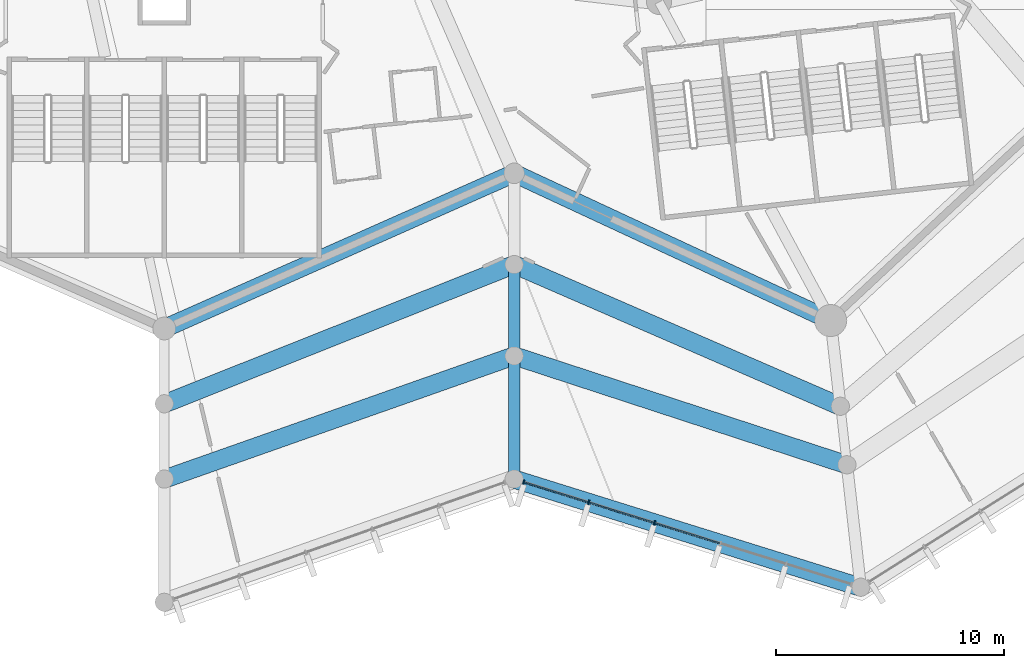
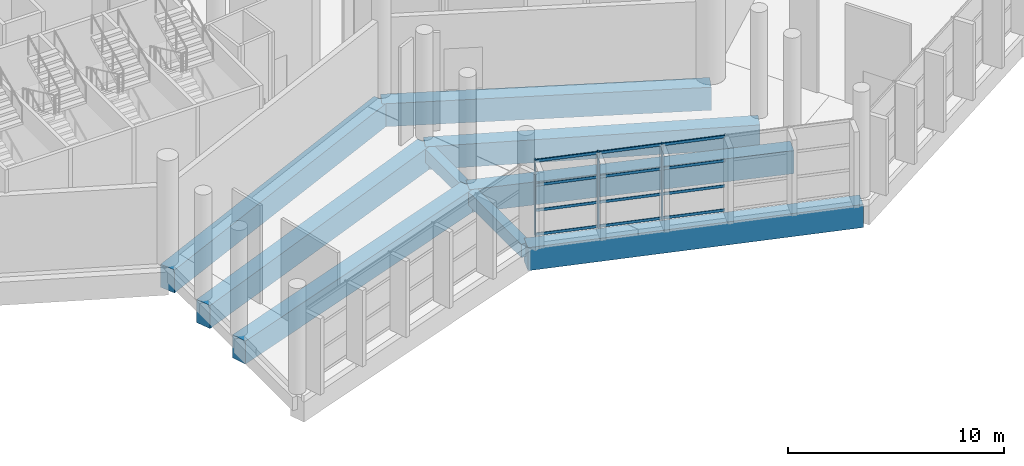
# One storey, part 29 of 249: 15 members, 9 beams, 1 element without a shape of its own.
"""IFC4 building model written with IfcOpenShell, lengths in metres."""

import ifcopenshell
import ifcopenshell.guid

model = None  # the IFC model being written
_history = None  # IfcOwnerHistory: only IFC2X3 demands one
_inside = {}  # id of a spatial element -> (the spatial element, [elements in it])
_under = {}  # id of a project, library or spatial element -> (it, [spatial elements below it])
_declared = {}  # id of a project -> (the project, [libraries it declares])
_typed = {}  # id of a type object -> (the type object, [elements of that type])
_made_of = {}  # id of a material, layer set ... -> (it, [elements and type objects made of it])


def new_model(schema):
    """Start an empty IFC model of exactly this schema.

    Asked for "IFC4X3", IfcOpenShell would pick the latest addendum, in which some entities
    have other attributes; the version numbers below select the first issue.
    IFC2X3 requires an IfcOwnerHistory on every rooted entity: one is made here for all.
    """
    global model, _history
    if schema == "IFC4X3":
        model = ifcopenshell.file(schema_version=(4, 3, 0, 0))
    else:
        model = ifcopenshell.file(schema=schema)
    _inside.clear()
    _under.clear()
    _declared.clear()
    _typed.clear()
    _made_of.clear()
    _history = None
    if model.schema == "IFC2X3":
        org = make("IfcOrganization", Name="unknown")
        user = make(
            "IfcPersonAndOrganization",
            ThePerson=make("IfcPerson", FamilyName="unknown"),
            TheOrganization=org,
        )
        app = make(
            "IfcApplication",
            ApplicationDeveloper=org,
            Version="unknown",
            ApplicationFullName="unknown",
            ApplicationIdentifier="unknown",
        )
        _history = make(
            "IfcOwnerHistory",
            OwningUser=user,
            OwningApplication=app,
            ChangeAction="ADDED",
            CreationDate=0,
        )
    return model


def make(cls, **values):
    """One entity of the class cls with the attributes given. An attribute that is None is left unset."""
    return model.create_entity(
        cls, **{name: value for name, value in values.items() if value is not None}
    )


def rooted(cls, **values):
    """An entity with a GlobalId (a new one), such as an element, a storey or a relation."""
    return make(cls, GlobalId=ifcopenshell.guid.new(), OwnerHistory=_history, **values)


def si_unit(unit_type, name, prefix=None):
    """IfcSIUnit, for example si_unit("LENGTHUNIT", "METRE", prefix="MILLI")."""
    return make("IfcSIUnit", UnitType=unit_type, Prefix=prefix, Name=name)


def assignment(units):
    """IfcUnitAssignment: the units of a project."""
    return None if units is None else make("IfcUnitAssignment", Units=units)


def point(xyz):
    """IfcCartesianPoint."""
    return None if xyz is None else make("IfcCartesianPoint", Coordinates=xyz)


def direction(xyz):
    """IfcDirection."""
    return None if xyz is None else make("IfcDirection", DirectionRatios=xyz)


def frame(location, z_axis=None, x_axis=None):
    """IfcAxis2Placement3D, a coordinate frame: its origin and axes. An axis left out is left unset."""
    return make(
        "IfcAxis2Placement3D",
        Location=point(location),
        Axis=direction(z_axis),
        RefDirection=direction(x_axis),
    )


def frame_2d(location, x_axis=None):
    """IfcAxis2Placement2D, a coordinate frame in the plane: its origin and x axis."""
    return make(
        "IfcAxis2Placement2D", Location=point(location), RefDirection=direction(x_axis)
    )


def origin():
    """The frame at (0, 0, 0) with its axes left unset."""
    return frame((0.0, 0.0, 0.0))


def origin_2d():
    """The frame at (0, 0) in the plane with its x axis left unset."""
    return frame_2d((0.0, 0.0))


def place(relative_to, where):
    """IfcLocalPlacement: puts the frame where relative to a parent placement (None: the world)."""
    return make(
        "IfcLocalPlacement", PlacementRelTo=relative_to, RelativePlacement=where
    )


def context(
    kind, dimensions, precision=None, world=None, true_north=None, identifier=None
):
    """IfcGeometricRepresentationContext, for example the 3D "Model" context."""
    return make(
        "IfcGeometricRepresentationContext",
        ContextIdentifier=identifier,
        ContextType=kind,
        CoordinateSpaceDimension=dimensions,
        Precision=precision,
        WorldCoordinateSystem=world,
        TrueNorth=true_north,
    )


def subcontext(parent, identifier, kind, view, scale=None):
    """IfcGeometricRepresentationSubContext, for example "Body" below "Model"."""
    return make(
        "IfcGeometricRepresentationSubContext",
        ContextIdentifier=identifier,
        ContextType=kind,
        ParentContext=parent,
        TargetScale=scale,
        TargetView=view,
    )


def project(units=None, contexts=None):
    """IfcProject with its units and contexts."""
    return rooted(
        "IfcProject",
        Name="project",
        RepresentationContexts=contexts,
        UnitsInContext=assignment(units),
    )


def spatial(cls, under=None, at=None, **own):
    """A site, building, storey or space (cls), placed at a placement, below another one or the project."""
    s = rooted(cls, ObjectPlacement=at, **own)
    if under is not None:
        _under.setdefault(under.id(), (under, []))[1].append(s)
    return s


def profile(cls, at=None, kind="AREA", **sizes):
    """A parametric profile (cls). Its sizes go by their IFC names, for example OverallWidth=200.0."""
    return make(cls, ProfileType=kind, Position=at, **sizes)


def rectangle(**sizes):
    """IfcRectangleProfileDef."""
    return profile("IfcRectangleProfileDef", **sizes)


def extrude(swept, where, along, depth):
    """IfcExtrudedAreaSolid: the profile swept, set in the frame where, extruded along a direction by depth."""
    return make(
        "IfcExtrudedAreaSolid",
        SweptArea=swept,
        Position=where,
        ExtrudedDirection=direction(along),
        Depth=depth,
    )


def shape(context_of_items, identifier, shape_type, items):
    """IfcShapeRepresentation: the items that make up one representation, for example the "Body"."""
    return make(
        "IfcShapeRepresentation",
        ContextOfItems=context_of_items,
        RepresentationIdentifier=identifier,
        RepresentationType=shape_type,
        Items=items,
    )


def material(Name=None, Category=None):
    """IfcMaterial."""
    return make("IfcMaterial", Name=Name, Category=Category)


def layer(
    of_material, thickness, ventilated=None, Name=None, Category=None, Priority=None
):
    """IfcMaterialLayer: one layer of a wall or slab, of a material (None: an air gap)."""
    return make(
        "IfcMaterialLayer",
        Material=of_material,
        LayerThickness=thickness,
        IsVentilated=ventilated,
        Name=Name,
        Category=Category,
        Priority=Priority,
    )


def layer_set(layers, Name=None):
    """IfcMaterialLayerSet."""
    return make("IfcMaterialLayerSet", MaterialLayers=layers, LayerSetName=Name)


def material_profile(
    of_material, cross_section, Name=None, Category=None, Priority=None
):
    """IfcMaterialProfile: a cross section and its material."""
    return make(
        "IfcMaterialProfile",
        Name=Name,
        Material=of_material,
        Profile=cross_section,
        Priority=Priority,
        Category=Category,
    )


def profile_set(profiles, Name=None, composite=None):
    """IfcMaterialProfileSet."""
    return make(
        "IfcMaterialProfileSet",
        Name=Name,
        MaterialProfiles=profiles,
        CompositeProfile=composite,
    )


def made_of(thing, what):
    """Note that an element or type object is made of a material, layer set ...; save() writes the relation."""
    if what is not None:
        _made_of.setdefault(what.id(), (what, []))[1].append(thing)
    return thing


def type_object(cls, material=None, **own):
    """A type object (cls), such as IfcWallType, which elements share."""
    return made_of(rooted(cls, **own), material)


def element(
    cls,
    number,
    at=None,
    inside=None,
    cuts=None,
    type_object=None,
    material=None,
    context=None,
    identifier="Body",
    shape_type=None,
    held_by="IfcProductDefinitionShape",
    body=None,
    shapes=None,
    **own,
):
    """One element of the class cls, such as IfcWall. Its Tag is "e" and its number.

    at: its placement. inside: the storey or other place that contains it. cuts: it is an
    opening in that element (IfcRelVoidsElement). A single representation is given by context,
    identifier, shape_type and body (its items); several are given by shapes. held_by: the class
    of the entity that holds the representations. save() writes the other relations.
    """
    e = rooted(cls, Tag="e%d" % number, ObjectPlacement=at, **own)
    if body is not None:
        shapes = [shape(context, identifier, shape_type, body)]
    if shapes is not None:
        e.Representation = make(held_by, Representations=shapes)
    if inside is not None:
        _inside.setdefault(inside.id(), (inside, []))[1].append(e)
    if cuts is not None:
        rooted(
            "IfcRelVoidsElement", RelatingBuildingElement=cuts, RelatedOpeningElement=e
        )
    if type_object is not None:
        _typed.setdefault(type_object.id(), (type_object, []))[1].append(e)
    return made_of(e, material)


def aggregate(whole, parts):
    """IfcRelAggregates: a whole, such as a stair, and the parts it consists of."""
    return rooted("IfcRelAggregates", RelatingObject=whole, RelatedObjects=parts)


def save(model, path):
    """Write the relations noted so far, then the file.

    IfcRelAggregates (storeys below a building ...), IfcRelContainedInSpatialStructure (elements
    in a storey), IfcRelDefinesByType, IfcRelAssociatesMaterial and IfcRelDeclares: one each for
    every whole, place, type object, material and project.
    """
    for whole, parts in _under.values():
        aggregate(whole, parts)
    for where, things in _inside.values():
        rooted(
            "IfcRelContainedInSpatialStructure",
            RelatedElements=things,
            RelatingStructure=where,
        )
    for kind, things in _typed.values():
        rooted("IfcRelDefinesByType", RelatedObjects=things, RelatingType=kind)
    for what, things in _made_of.values():
        rooted("IfcRelAssociatesMaterial", RelatedObjects=things, RelatingMaterial=what)
    for by, libraries in _declared.values():
        rooted("IfcRelDeclares", RelatingContext=by, RelatedDefinitions=libraries)
    model.write(path)


model = new_model("IFC4")

# Units and contexts
model_context = context("Model", 3, precision=1e-05, world=origin(), true_north=direction((0.0, 1.0)))
body_context = subcontext(model_context, "Body", "Model", "MODEL_VIEW")
ifc_project = project(units=[si_unit("LENGTHUNIT", "METRE"), si_unit("AREAUNIT", "SQUARE_METRE"), si_unit("VOLUMEUNIT", "CUBIC_METRE"), si_unit("PLANEANGLEUNIT", "RADIAN"), si_unit("MASSUNIT", "GRAM", prefix="KILO")], contexts=[model_context])

# Site, building, storey
site_placement = place(None, origin())
site = spatial("IfcSite", under=ifc_project, at=site_placement, CompositionType="ELEMENT")
building_placement = place(site_placement, origin())
building = spatial("IfcBuilding", under=site, at=building_placement, Name="Meseta Stadium", CompositionType="ELEMENT")
storey_placement = place(building_placement, frame((0.0, 0.0, 12.0)))
storey = spatial("IfcBuildingStorey", under=building, at=storey_placement, Name="L02", CompositionType="ELEMENT", Elevation=12.0)

# Beams
ifc_material_1 = material(Name="Concrete C40/50", Category="concrete")
ifc_material_profile_1 = material_profile(ifc_material_1, rectangle(XDim=0.5, YDim=0.75, at=origin_2d()), Name="RC 500x750")
ifc_profile_set_1 = profile_set([ifc_material_profile_1], Name="Concrete C40/50")
beam_type_1 = type_object("IfcBeamType", Name="RC beam 500x750", PredefinedType="BEAM", material=ifc_profile_set_1)
beam_1_placement = place(storey_placement, frame((38.333251953125, -102.60009765625, -0.72509765625), z_axis=(0.0, -1.0, 0.0), x_axis=(1.0, 0.0, 0.0)))
element("IfcBeam", 1, at=beam_1_placement, inside=storey, type_object=beam_type_1, Name="L02 radial beam frame 49 line M to Q", PredefinedType="BEAM", context=body_context, shape_type="SweptSolid", body=[
    extrude(rectangle(XDim=0.5, YDim=0.75, at=origin_2d()), origin(), (0.0, 0.0, 1.0), 4.0),
])
beam_2_placement = place(storey_placement, frame((38.333251953125, -106.60009765625, -0.72509765625), z_axis=(0.0, -1.0, 0.0), x_axis=(1.0, 0.0, 0.0)))
element("IfcBeam", 2, at=beam_2_placement, inside=storey, type_object=beam_type_1, Name="L02 radial beam frame 49 line Q to O", PredefinedType="BEAM", context=body_context, shape_type="SweptSolid", body=[
    extrude(rectangle(XDim=0.5, YDim=0.75, at=origin_2d()), origin(), (0.0, 0.0, 1.0), 5.39990234375),
])
ifc_material_2 = material(Name="Concrete C40/50", Category="concrete")
ifc_material_profile_2 = material_profile(ifc_material_2, rectangle(XDim=0.800048828125, YDim=1.300048828125, at=origin_2d()), Name="RC 800x1300")
ifc_profile_set_2 = profile_set([ifc_material_profile_2], Name="Concrete C40/50")
beam_type_2 = type_object("IfcBeamType", Name="RC beam 800x1300", PredefinedType="BEAM", material=ifc_profile_set_2)
beam_3_placement = place(storey_placement, frame((23.0, -105.39990234375, -1.0), z_axis=(0.914142564088, 0.405392861953, 0.0), x_axis=(-0.405392861953, 0.914142564088, 0.0)))
element("IfcBeam", 3, at=beam_3_placement, inside=storey, type_object=beam_type_2, Name="L02 ring beam frame 48 line R", PredefinedType="BEAM", context=body_context, shape_type="SweptSolid", body=[
    extrude(rectangle(XDim=0.800048828125, YDim=1.300048828125, at=origin_2d()), origin(), (0.0, 0.0, 1.0), 16.7734375),
])
beam_4_placement = place(storey_placement, frame((38.333251953125, -98.60009765625, -1.0), z_axis=(0.906704363154, -0.421766757625, 0.0), x_axis=(0.421766757625, 0.906704363154, 0.0)))
element("IfcBeam", 4, at=beam_4_placement, inside=storey, type_object=beam_type_2, Name="L02 ring beam frame 49 line R", PredefinedType="BEAM", context=body_context, shape_type="SweptSolid", body=[
    extrude(rectangle(XDim=0.800048828125, YDim=1.300048828125, at=origin_2d()), origin(), (0.0, 0.0, 1.0), 15.296630859375),
])
beam_5_placement = place(storey_placement, frame((23.0, -108.699951171875, -1.0), z_axis=(0.929173963419, 0.369642727108, 0.0), x_axis=(-0.369642727108, 0.929173963419, 0.0)))
element("IfcBeam", 5, at=beam_5_placement, inside=storey, type_object=beam_type_2, Name="L02 ring beam frame 48 line M", PredefinedType="BEAM", context=body_context, shape_type="SweptSolid", body=[
    extrude(rectangle(XDim=0.800048828125, YDim=1.300048828125, at=origin_2d()), origin(), (0.0, 0.0, 1.0), 16.501953125),
])
beam_6_placement = place(storey_placement, frame((23.0, -112.0, -1.0), z_axis=(0.943218573019, 0.332172731439, 0.0), x_axis=(-0.332172731439, 0.943218573019, 0.0)))
element("IfcBeam", 6, at=beam_6_placement, inside=storey, type_object=beam_type_2, Name="L02 ring beam frame 48 line Q", PredefinedType="BEAM", context=body_context, shape_type="SweptSolid", body=[
    extrude(rectangle(XDim=0.800048828125, YDim=1.300048828125, at=origin_2d()), origin(), (0.0, 0.0, 1.0), 16.25634765625),
])
beam_7_placement = place(storey_placement, frame((38.333251953125, -102.60009765625, -1.0), z_axis=(0.917218444674, -0.398384644219, 0.0), x_axis=(0.398384644219, 0.917218444674, 0.0)))
element("IfcBeam", 7, at=beam_7_placement, inside=storey, type_object=beam_type_2, Name="L02 ring beam frame 49 line M", PredefinedType="BEAM", context=body_context, shape_type="SweptSolid", body=[
    extrude(rectangle(XDim=0.800048828125, YDim=1.300048828125, at=origin_2d()), origin(), (0.0, 0.0, 1.0), 15.5830078125),
])
beam_8_placement = place(storey_placement, frame((38.333251953125, -106.60009765625, -1.0), z_axis=(0.950397214569, -0.311038799089, 0.0), x_axis=(0.311038799089, 0.950397214569, 0.0)))
element("IfcBeam", 8, at=beam_8_placement, inside=storey, type_object=beam_type_2, Name="L02 ring beam frame 49 line Q", PredefinedType="BEAM", context=body_context, shape_type="SweptSolid", body=[
    extrude(rectangle(XDim=0.800048828125, YDim=1.300048828125, at=origin_2d()), origin(), (0.0, 0.0, 1.0), 15.3427734375),
])
beam_9_placement = place(storey_placement, frame((38.333251953125, -112.0, -1.0), z_axis=(0.954612869987, -0.297849405667, 0.0), x_axis=(0.297849405667, 0.954612869987, 0.0)))
element("IfcBeam", 9, at=beam_9_placement, inside=storey, type_object=beam_type_2, Name="L02 ring beam frame 49 line O", PredefinedType="BEAM", context=body_context, shape_type="SweptSolid", body=[
    extrude(rectangle(XDim=0.800048828125, YDim=1.300048828125, at=origin_2d()), origin(), (0.0, 0.0, 1.0), 15.908203125),
])

# Curtain wall, members
ifc_material_3 = material(Name="Aluminium", Category="aluminium")
ifc_layer = layer(ifc_material_3, 0.199951171875)
ifc_layer_set = layer_set([ifc_layer], Name="Ring shopfront curtain wall")
curtain_wall_type = type_object("IfcCurtainWallType", Name="Ring shopfront curtain wall", PredefinedType="NOTDEFINED", material=ifc_layer_set)
curtain_wall_placement = place(storey_placement, origin())
curtain_wall = element("IfcCurtainWall", 10, at=curtain_wall_placement, inside=storey, type_object=curtain_wall_type, Name="Ring glazing L02 F49", PredefinedType="NOTDEFINED")
ifc_material_4 = material(Name="Aluminium", Category="aluminium")
ifc_material_profile_3 = material_profile(ifc_material_4, rectangle(XDim=0.199951171875, YDim=0.06005859375, at=origin_2d()), Name="CW 200x60")
ifc_profile_set_3 = profile_set([ifc_material_profile_3], Name="Aluminium")
member_type_1 = type_object("IfcMemberType", Name="Ring CW mullion 60x200", PredefinedType="MULLION", material=ifc_profile_set_3)
member_1_placement = place(storey_placement, frame((38.743896484375, -112.1279296875, 0.0), z_axis=(0.0, 0.0, 1.0), x_axis=(0.297861157885, 0.95460920309, 0.0)))
member_1 = element("IfcMember", 11, at=member_1_placement, type_object=member_type_1, Name="CWR1 mullion 1", PredefinedType="MULLION", context=body_context, shape_type="SweptSolid", body=[
    extrude(rectangle(XDim=0.199951171875, YDim=0.06005859375, at=origin_2d()), origin(), (0.0, 0.0, 1.0), 4.300048828125),
])
member_2_placement = place(storey_placement, frame((41.599609375, -113.01904296875, 0.0), z_axis=(0.0, 0.0, 1.0), x_axis=(0.297861157885, 0.95460920309, 0.0)))
member_2 = element("IfcMember", 12, at=member_2_placement, type_object=member_type_1, Name="CWR1 mullion 2", PredefinedType="MULLION", context=body_context, shape_type="SweptSolid", body=[
    extrude(rectangle(XDim=0.199951171875, YDim=0.06005859375, at=origin_2d()), origin(), (0.0, 0.0, 1.0), 4.300048828125),
])
member_3_placement = place(storey_placement, frame((44.484130859375, -113.919189453125, 0.0), z_axis=(0.0, 0.0, 1.0), x_axis=(0.297861157885, 0.95460920309, 0.0)))
member_3 = element("IfcMember", 13, at=member_3_placement, type_object=member_type_1, Name="CWR1 mullion 3", PredefinedType="MULLION", context=body_context, shape_type="SweptSolid", body=[
    extrude(rectangle(XDim=0.199951171875, YDim=0.06005859375, at=origin_2d()), origin(), (0.0, 0.0, 1.0), 4.300048828125),
])
ifc_material_5 = material(Name="Aluminium", Category="aluminium")
ifc_material_profile_4 = material_profile(ifc_material_5, rectangle(XDim=0.06005859375, YDim=0.14990234375, at=origin_2d()), Name="CW 60x150")
ifc_profile_set_4 = profile_set([ifc_material_profile_4], Name="Aluminium")
member_type_2 = type_object("IfcMemberType", Name="Ring CW transom 60x150", PredefinedType="USERDEFINED", material=ifc_profile_set_4)
member_4_placement = place(storey_placement, frame((38.7724609375, -112.136962890625, 0.074951171875), z_axis=(0.954602885883, -0.297881403019, 0.0), x_axis=(0.297881403019, 0.954602885883, 0.0)))
member_4 = element("IfcMember", 14, at=member_4_placement, type_object=member_type_2, Name="CWR1 transom 1.1", ObjectType="TRANSOM", PredefinedType="USERDEFINED", context=body_context, shape_type="SweptSolid", body=[
    extrude(rectangle(XDim=0.06005859375, YDim=0.14990234375, at=origin_2d()), origin(), (0.0, 0.0, 1.0), 2.931640625),
])
member_5_placement = place(storey_placement, frame((38.7724609375, -112.136962890625, 1.433349609375), z_axis=(0.954602885883, -0.297881403019, 0.0), x_axis=(0.297881403019, 0.954602885883, 0.0)))
member_5 = element("IfcMember", 15, at=member_5_placement, type_object=member_type_2, Name="CWR1 transom 1.2", ObjectType="TRANSOM", PredefinedType="USERDEFINED", context=body_context, shape_type="SweptSolid", body=[
    extrude(rectangle(XDim=0.06005859375, YDim=0.14990234375, at=origin_2d()), origin(), (0.0, 0.0, 1.0), 2.931640625),
])
member_6_placement = place(storey_placement, frame((38.7724609375, -112.136962890625, 2.86669921875), z_axis=(0.954602885883, -0.297881403019, 0.0), x_axis=(0.297881403019, 0.954602885883, 0.0)))
member_6 = element("IfcMember", 16, at=member_6_placement, type_object=member_type_2, Name="CWR1 transom 1.3", ObjectType="TRANSOM", PredefinedType="USERDEFINED", context=body_context, shape_type="SweptSolid", body=[
    extrude(rectangle(XDim=0.06005859375, YDim=0.14990234375, at=origin_2d()), origin(), (0.0, 0.0, 1.0), 2.931640625),
])
member_7_placement = place(storey_placement, frame((38.7724609375, -112.136962890625, 4.22509765625), z_axis=(0.954602885883, -0.297881403019, 0.0), x_axis=(0.297881403019, 0.954602885883, 0.0)))
member_7 = element("IfcMember", 17, at=member_7_placement, type_object=member_type_2, Name="CWR1 transom 1.4", ObjectType="TRANSOM", PredefinedType="USERDEFINED", context=body_context, shape_type="SweptSolid", body=[
    extrude(rectangle(XDim=0.06005859375, YDim=0.14990234375, at=origin_2d()), origin(), (0.0, 0.0, 1.0), 2.931640625),
])
member_8_placement = place(storey_placement, frame((41.62841796875, -113.028076171875, 0.074951171875), z_axis=(0.954614829799, -0.297843124358, 0.0), x_axis=(0.297843124358, 0.954614829799, 0.0)))
member_8 = element("IfcMember", 18, at=member_8_placement, type_object=member_type_2, Name="CWR1 transom 2.1", ObjectType="TRANSOM", PredefinedType="USERDEFINED", context=body_context, shape_type="SweptSolid", body=[
    extrude(rectangle(XDim=0.06005859375, YDim=0.14990234375, at=origin_2d()), origin(), (0.0, 0.0, 1.0), 2.961669921875),
])
member_9_placement = place(storey_placement, frame((41.62841796875, -113.028076171875, 1.433349609375), z_axis=(0.954614829799, -0.297843124358, 0.0), x_axis=(0.297843124358, 0.954614829799, 0.0)))
member_9 = element("IfcMember", 19, at=member_9_placement, type_object=member_type_2, Name="CWR1 transom 2.2", ObjectType="TRANSOM", PredefinedType="USERDEFINED", context=body_context, shape_type="SweptSolid", body=[
    extrude(rectangle(XDim=0.06005859375, YDim=0.14990234375, at=origin_2d()), origin(), (0.0, 0.0, 1.0), 2.961669921875),
])
member_10_placement = place(storey_placement, frame((41.62841796875, -113.028076171875, 2.86669921875), z_axis=(0.954614829799, -0.297843124358, 0.0), x_axis=(0.297843124358, 0.954614829799, 0.0)))
member_10 = element("IfcMember", 20, at=member_10_placement, type_object=member_type_2, Name="CWR1 transom 2.3", ObjectType="TRANSOM", PredefinedType="USERDEFINED", context=body_context, shape_type="SweptSolid", body=[
    extrude(rectangle(XDim=0.06005859375, YDim=0.14990234375, at=origin_2d()), origin(), (0.0, 0.0, 1.0), 2.961669921875),
])
member_11_placement = place(storey_placement, frame((41.62841796875, -113.028076171875, 4.22509765625), z_axis=(0.954614829799, -0.297843124358, 0.0), x_axis=(0.297843124358, 0.954614829799, 0.0)))
member_11 = element("IfcMember", 21, at=member_11_placement, type_object=member_type_2, Name="CWR1 transom 2.4", ObjectType="TRANSOM", PredefinedType="USERDEFINED", context=body_context, shape_type="SweptSolid", body=[
    extrude(rectangle(XDim=0.06005859375, YDim=0.14990234375, at=origin_2d()), origin(), (0.0, 0.0, 1.0), 2.961669921875),
])
member_12_placement = place(storey_placement, frame((44.512939453125, -113.92822265625, 0.074951171875), z_axis=(0.954614829799, -0.297843124358, 0.0), x_axis=(0.297843124358, 0.954614829799, 0.0)))
member_12 = element("IfcMember", 22, at=member_12_placement, type_object=member_type_2, Name="CWR1 transom 3.1", ObjectType="TRANSOM", PredefinedType="USERDEFINED", context=body_context, shape_type="SweptSolid", body=[
    extrude(rectangle(XDim=0.06005859375, YDim=0.14990234375, at=origin_2d()), origin(), (0.0, 0.0, 1.0), 2.961669921875),
])
member_13_placement = place(storey_placement, frame((44.512939453125, -113.92822265625, 1.433349609375), z_axis=(0.954614829799, -0.297843124358, 0.0), x_axis=(0.297843124358, 0.954614829799, 0.0)))
member_13 = element("IfcMember", 23, at=member_13_placement, type_object=member_type_2, Name="CWR1 transom 3.2", ObjectType="TRANSOM", PredefinedType="USERDEFINED", context=body_context, shape_type="SweptSolid", body=[
    extrude(rectangle(XDim=0.06005859375, YDim=0.14990234375, at=origin_2d()), origin(), (0.0, 0.0, 1.0), 2.961669921875),
])
member_14_placement = place(storey_placement, frame((44.512939453125, -113.92822265625, 2.86669921875), z_axis=(0.954614829799, -0.297843124358, 0.0), x_axis=(0.297843124358, 0.954614829799, 0.0)))
member_14 = element("IfcMember", 24, at=member_14_placement, type_object=member_type_2, Name="CWR1 transom 3.3", ObjectType="TRANSOM", PredefinedType="USERDEFINED", context=body_context, shape_type="SweptSolid", body=[
    extrude(rectangle(XDim=0.06005859375, YDim=0.14990234375, at=origin_2d()), origin(), (0.0, 0.0, 1.0), 2.961669921875),
])
member_15_placement = place(storey_placement, frame((44.512939453125, -113.92822265625, 4.22509765625), z_axis=(0.954614829799, -0.297843124358, 0.0), x_axis=(0.297843124358, 0.954614829799, 0.0)))
member_15 = element("IfcMember", 25, at=member_15_placement, type_object=member_type_2, Name="CWR1 transom 3.4", ObjectType="TRANSOM", PredefinedType="USERDEFINED", context=body_context, shape_type="SweptSolid", body=[
    extrude(rectangle(XDim=0.06005859375, YDim=0.14990234375, at=origin_2d()), origin(), (0.0, 0.0, 1.0), 2.961669921875),
])
aggregate(curtain_wall, [member_1, member_2, member_3, member_4, member_5, member_6, member_7, member_8, member_9, member_10, member_11, member_12, member_13, member_14, member_15])

save(model, "model.ifc")
